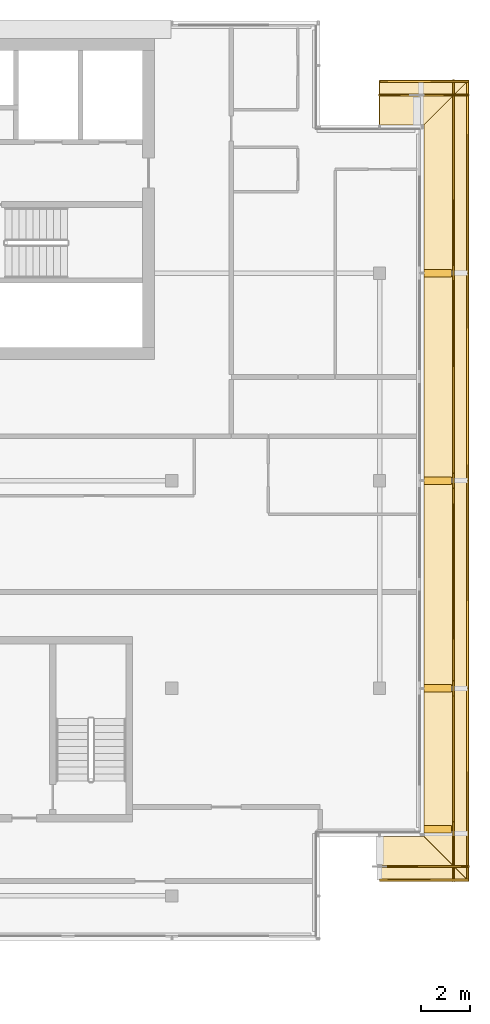
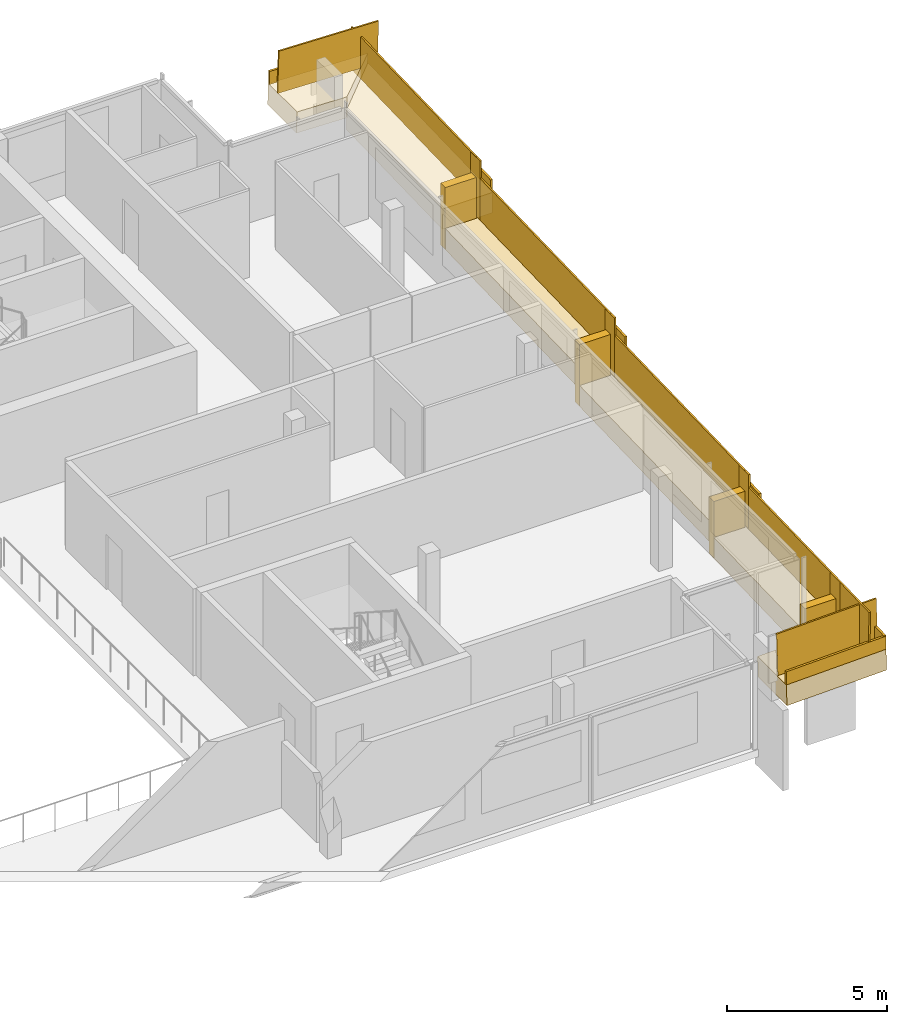
# One storey, part 19 of 19: 16 coverings, 10 railings.
"""IFC4 building model written with IfcOpenShell, lengths in metres."""

from ifc_helpers import new_model, si_unit, direction, frame, origin, origin_2d, place, context, subcontext, project, spatial, polyline, rectangle, outline, extrude, material, layer, layer_set, type_object, element, save


model = new_model("IFC4")

# Units and contexts
model_context = context("Model", 3, precision=1e-05, world=origin(), true_north=direction((0.0, 1.0)))
body_context = subcontext(model_context, "Body", "Model", "MODEL_VIEW")
ifc_project = project(units=[si_unit("LENGTHUNIT", "METRE"), si_unit("AREAUNIT", "SQUARE_METRE"), si_unit("VOLUMEUNIT", "CUBIC_METRE"), si_unit("PLANEANGLEUNIT", "RADIAN"), si_unit("MASSUNIT", "GRAM", prefix="KILO")], contexts=[model_context])

# Site, building, storey
site_placement = place(None, origin())
site = spatial("IfcSite", under=ifc_project, at=site_placement, CompositionType="ELEMENT")
building_placement = place(site_placement, origin())
building = spatial("IfcBuilding", under=site, at=building_placement, Name="Saffron Gate Tower", CompositionType="ELEMENT")
storey_placement = place(building_placement, frame((0.0, 0.0, 292.35009765625)))
storey = spatial("IfcBuildingStorey", under=building, at=storey_placement, Name="L71", CompositionType="ELEMENT", Elevation=292.35009765625)

# Coverings
ifc_material = material(Name="Timber, thermally modified ash", Category="wood")
ifc_layer_1 = layer(ifc_material, 0.800048828125)
ifc_layer_set_1 = layer_set([ifc_layer_1], Name="LD1 ledge timber")
covering_type_1 = type_object("IfcCoveringType", Name="LD1 ledge timber", PredefinedType="CLADDING", material=ifc_layer_set_1)
covering_1_placement = place(storey_placement, frame((117.0, 42.60009765625, 0.1669921875), z_axis=(-0.028786835276, 4.5191264e-05, 0.999585572161), x_axis=(0.999585573182, 2.041e-09, 0.028786835305)))
element("IfcCovering", 1, at=covering_1_placement, inside=storey, type_object=covering_type_1, Name="LEDGE", PredefinedType="CLADDING", context=body_context, shape_type="SweptSolid", body=[
    extrude(outline(polyline([(0.0, 0.0), (1.8007927832406818, 0.0), (3.601592590842695, -1.8000488373153904), (-3.674631647332522e-09, -1.800048826286925), (0.0, 0.0)])), origin(), (0.0, 0.0, -1.0), 0.800048828125),
])
covering_2_placement = place(storey_placement, frame((118.800048828125, 42.60009765625, 0.359130859375), z_axis=(3.5027307e-05, -0.028807146299, 0.99958498743), x_axis=(3.68e-10, 0.999584988043, 0.028807146316)))
element("IfcCovering", 2, at=covering_2_placement, inside=storey, type_object=covering_type_1, Name="LEDGE", PredefinedType="CLADDING", context=body_context, shape_type="SweptSolid", body=[
    extrude(outline(polyline([(0.0, 0.0), (6.0024892885105, 2.541098841762901e-21), (6.002489289172793, -1.8000488270207489), (-1.800799813548424, -1.8000488321003227), (0.0, 0.0)])), origin(), (0.0, 0.0, -1.0), 0.800048828125),
])
for number, where, z_axis, x_axis, name in (
    (3, (118.800048828125, 48.60009765625, 0.999267578125), (0.0, -0.028791175352, 0.999585448184), (0.0, 0.999585448184, 0.028791175352), "LEDGE"),
    (4, (118.800048828125, 57.0, 1.895751953125), (0.0, -0.028791175352, 0.999585448184), (0.0, 0.999585448184, 0.028791175352), "LEDGE"),
):
    element("IfcCovering", number, at=place(storey_placement, frame(where, z_axis=z_axis, x_axis=x_axis)), inside=storey, type_object=covering_type_1, Name=name, PredefinedType="CLADDING", context=body_context, shape_type="SweptSolid", body=[
        extrude(outline(polyline([(0.0, 0.0), (8.403385982666892, 0.0), (8.403385982666892, -1.800048828125), (0.0, -1.800048828125), (0.0, 0.0)])), origin(), (0.0, 0.0, -1.0), 0.800048828125),
    ])
covering_3_placement = place(storey_placement, frame((118.800048828125, 65.39990234375, 2.792236328125), z_axis=(2.391759e-05, -0.028789477025, 0.999585496814), x_axis=(-1.72e-10, 0.9995854971, 0.028789477033)))
element("IfcCovering", 5, at=covering_3_placement, inside=storey, type_object=covering_type_1, Name="LEDGE", PredefinedType="CLADDING", context=body_context, shape_type="SweptSolid", body=[
    extrude(outline(polyline([(0.0, 0.0), (6.002489288687248, 8.470329472543003e-22), (7.80328207139786, -1.8000488299785034), (-3.0879623774719253e-10, -1.8000488276101398), (0.0, 0.0)])), origin(), (0.0, 0.0, -1.0), 0.800048828125),
])
covering_4_placement = place(storey_placement, frame((118.800048828125, 71.39990234375, 3.432373046875), z_axis=(0.028831989003, -4.5191205e-05, 0.999584270769), x_axis=(-0.999584271789, 2.041e-09, 0.028831989032)))
element("IfcCovering", 6, at=covering_4_placement, inside=storey, type_object=covering_type_1, Name="LEDGE", PredefinedType="CLADDING", context=body_context, shape_type="SweptSolid", body=[
    extrude(outline(polyline([(0.0, 0.0), (1.8007998167885757, 0.0), (1.8007998204631834, -1.80004882628693), (-1.8007927740541456, -1.800048837315338), (0.0, 0.0)])), origin(), (0.0, 0.0, -1.0), 0.800048828125),
])
ifc_layer_2 = layer(ifc_material, 0.080078125)
ifc_layer_set_2 = layer_set([ifc_layer_2], Name="LD2 ledge planter trough")
covering_type_2 = type_object("IfcCoveringType", Name="LD2 ledge planter trough", PredefinedType="CLADDING", material=ifc_layer_set_2)
covering_5_placement = place(storey_placement, frame((117.0, 40.800048828125, 0.1669921875), z_axis=(0.0, -1.0, 0.0), x_axis=(0.99958492274, 0.0, 0.028809412191)))
element("IfcCovering", 7, at=covering_5_placement, inside=storey, type_object=covering_type_2, Name="LEDGE planter trough", PredefinedType="CLADDING", context=body_context, shape_type="SweptSolid", body=[
    extrude(outline(polyline([(0.0, 0.0), (3.601592595435983, 0.0), (3.6159973015313485, 0.4997924613700232), (0.014404706095365512, 0.4997924613700232), (0.0, 0.0)])), origin(), (0.0, 0.0, -1.0), 0.080078125),
])
covering_6_placement = place(storey_placement, frame((120.60009765625, 40.800048828125, 0.30712890625), z_axis=(1.0, 0.0, 0.0), x_axis=(0.0, 0.999584755248, 0.028815222999)))
element("IfcCovering", 8, at=covering_6_placement, inside=storey, type_object=covering_type_2, Name="LEDGE planter trough", PredefinedType="CLADDING", context=body_context, shape_type="SweptSolid", body=[
    extrude(outline(polyline([(0.0, 0.0), (7.803289102975944, 0.0), (7.8176967144752565, 0.4997923776238338), (0.014407611499312996, 0.4997923776238338), (0.0, 0.0)])), origin(), (0.0, 0.0, -1.0), 0.080078125),
])
for number, where, z_axis, x_axis, name in (
    (9, (120.60009765625, 48.60009765625, 0.999267578125), (1.0, 0.0, 0.0), (0.0, 0.999585448184, 0.028791175352), "LEDGE planter trough"),
    (10, (120.60009765625, 57.0, 1.895751953125), (1.0, 0.0, 0.0), (0.0, 0.999585448184, 0.028791175352), "LEDGE planter trough"),
):
    element("IfcCovering", number, at=place(storey_placement, frame(where, z_axis=z_axis, x_axis=x_axis)), inside=storey, type_object=covering_type_2, Name=name, PredefinedType="CLADDING", context=body_context, shape_type="SweptSolid", body=[
        extrude(outline(polyline([(0.0, 0.0), (8.403385982666892, 0.0), (8.417781570342743, 0.49979272409216496), (0.014395587675851172, 0.4997927240921649), (0.0, 0.0)])), origin(), (0.0, 0.0, -1.0), 0.080078125),
    ])
covering_7_placement = place(storey_placement, frame((120.60009765625, 65.39990234375, 2.792236328125), z_axis=(1.0, 0.0, 0.0), x_axis=(0.0, 0.999585655924, 0.028783962047)))
element("IfcCovering", 11, at=covering_7_placement, inside=storey, type_object=covering_type_2, Name="LEDGE planter trough", PredefinedType="CLADDING", context=body_context, shape_type="SweptSolid", body=[
    extrude(outline(polyline([(0.0, 0.0), (7.803282071825423, 2.7755575615628914e-17), (7.817674052849086, 0.4997928279619612), (0.014391981023662846, 0.4997928279619612), (0.0, 0.0)])), origin(), (0.0, 0.0, -1.0), 0.080078125),
])
covering_8_placement = place(storey_placement, frame((120.60009765625, 73.199951171875, 3.380615234375), z_axis=(0.0, 1.0, 0.0), x_axis=(-0.99958492274, 0.0, 0.028809412191)))
element("IfcCovering", 12, at=covering_8_placement, inside=storey, type_object=covering_type_2, Name="LEDGE planter trough", PredefinedType="CLADDING", context=body_context, shape_type="SweptSolid", body=[
    extrude(outline(polyline([(0.0, 0.0), (3.601592595435983, 0.0), (3.6159973015313485, 0.4997924613700232), (0.014404706095365512, 0.4997924613700232), (0.0, 0.0)])), origin(), (0.0, 0.0, -1.0), 0.080078125),
])
ifc_layer_3 = layer(ifc_material, 0.300048828125)
ifc_layer_set_3 = layer_set([ifc_layer_3], Name="LD3 ledge riser fin")
covering_type_3 = type_object("IfcCoveringType", Name="LD3 ledge riser fin", PredefinedType="CLADDING", material=ifc_layer_set_3)
covering_9_placement = place(storey_placement, frame((119.360107421875, 42.89990234375, -0.581298828125), z_axis=(0.0, 0.0, 1.0), x_axis=(0.0, 1.0, 0.0)))
element("IfcCovering", 13, at=covering_9_placement, inside=storey, type_object=covering_type_3, Name="LEDGE riser fin", PredefinedType="CLADDING", context=body_context, shape_type="SweptSolid", body=[
    extrude(rectangle(XDim=0.300048828125, YDim=1.1201171875, at=origin_2d()), origin(), (0.0, 0.0, 1.0), 1.84033203125),
])
covering_10_placement = place(storey_placement, frame((119.360107421875, 48.60009765625, -0.26806640625), z_axis=(0.0, 0.0, 1.0), x_axis=(0.0, 1.0, 0.0)))
element("IfcCovering", 14, at=covering_10_placement, inside=storey, type_object=covering_type_3, Name="LEDGE riser fin", PredefinedType="CLADDING", context=body_context, shape_type="SweptSolid", body=[
    extrude(rectangle(XDim=0.300048828125, YDim=1.1201171875, at=origin_2d()), origin(), (0.0, 0.0, 1.0), 2.16748046875),
])
for number, where, z_axis, x_axis, name in (
    (15, (119.360107421875, 57.0, 0.44140625), (0.0, 0.0, 1.0), (0.0, 1.0, 0.0), "LEDGE riser fin"),
    (16, (119.360107421875, 65.39990234375, 1.337646484375), (0.0, 0.0, 1.0), (0.0, 1.0, 0.0), "LEDGE riser fin"),
):
    element("IfcCovering", number, at=place(storey_placement, frame(where, z_axis=z_axis, x_axis=x_axis)), inside=storey, type_object=covering_type_3, Name=name, PredefinedType="CLADDING", context=body_context, shape_type="SweptSolid", body=[
        extrude(rectangle(XDim=0.300048828125, YDim=1.1201171875, at=origin_2d()), origin(), (0.0, 0.0, 1.0), 2.3544921875),
    ])

# Railings
railing_type = type_object("IfcRailingType", Name="LG1 ledge balustrade", PredefinedType="BALUSTRADE", material=ifc_material)
railing_1_placement = place(storey_placement, frame((117.0, 41.39990234375, 0.1669921875)))
element("IfcRailing", 17, at=railing_1_placement, inside=storey, type_object=railing_type, Name="LEDGE BALUSTRADE", PredefinedType="BALUSTRADE", context=body_context, shape_type="SweptSolid", body=[
    extrude(rectangle(XDim=0.06005859375, YDim=1.60009765625, at=origin_2d()), frame((0.0, 0.0, 0.800048828125), z_axis=(0.99958492274, 0.0, 0.028809412191), x_axis=(0.0, 1.0, 0.0)), (0.0, 0.0, 1.0), 3.6015625),
])
railing_2_placement = place(storey_placement, frame((120.0, 40.800048828125, 0.30712890625)))
element("IfcRailing", 18, at=railing_2_placement, inside=storey, type_object=railing_type, Name="LEDGE BALUSTRADE", PredefinedType="BALUSTRADE", context=body_context, shape_type="SweptSolid", body=[
    extrude(rectangle(XDim=0.06005859375, YDim=1.60009765625, at=origin_2d()), frame((0.0, 0.0, 0.800048828125), z_axis=(0.0, 0.999584755248, 0.028815222999), x_axis=(-1.0, 0.0, 0.0)), (0.0, 0.0, 1.0), 7.80322265625),
])
railing_3_placement = place(storey_placement, frame((120.0, 42.60009765625, 0.21875)))
element("IfcRailing", 19, at=railing_3_placement, inside=storey, type_object=railing_type, Name="LEDGE BALUSTRADE", PredefinedType="BALUSTRADE", context=body_context, shape_type="SweptSolid", body=[
    extrude(rectangle(XDim=0.06005859375, YDim=1.740234375, at=origin_2d()), frame((0.0, 0.0, 0.8701171875), z_axis=(0.0, 1.0, 0.0), x_axis=(-1.0, 0.0, 0.0)), (0.0, 0.0, 1.0), 0.599853515625),
])
railing_4_placement = place(storey_placement, frame((120.0, 48.60009765625, 0.999267578125)))
element("IfcRailing", 20, at=railing_4_placement, inside=storey, type_object=railing_type, Name="LEDGE BALUSTRADE", PredefinedType="BALUSTRADE", context=body_context, shape_type="SweptSolid", body=[
    extrude(rectangle(XDim=0.06005859375, YDim=1.60009765625, at=origin_2d()), frame((0.0, 0.0, 0.800048828125), z_axis=(0.0, 0.999585448184, 0.028791175352), x_axis=(-1.0, 0.0, 0.0)), (0.0, 0.0, 1.0), 8.4033203125),
])
railing_5_placement = place(storey_placement, frame((120.0, 48.300048828125, 0.531982421875)))
element("IfcRailing", 21, at=railing_5_placement, inside=storey, type_object=railing_type, Name="LEDGE BALUSTRADE", PredefinedType="BALUSTRADE", context=body_context, shape_type="SweptSolid", body=[
    extrude(rectangle(XDim=0.06005859375, YDim=2.0673828125, at=origin_2d()), frame((0.0, 0.0, 1.03369140625), z_axis=(0.0, 1.0, 0.0), x_axis=(-1.0, 0.0, 0.0)), (0.0, 0.0, 1.0), 0.599853515625),
])
railing_6_placement = place(storey_placement, frame((120.0, 57.0, 1.895751953125)))
element("IfcRailing", 22, at=railing_6_placement, inside=storey, type_object=railing_type, Name="LEDGE BALUSTRADE", PredefinedType="BALUSTRADE", context=body_context, shape_type="SweptSolid", body=[
    extrude(rectangle(XDim=0.06005859375, YDim=1.60009765625, at=origin_2d()), frame((0.0, 0.0, 0.800048828125), z_axis=(0.0, 0.999585448184, 0.028791175352), x_axis=(-1.0, 0.0, 0.0)), (0.0, 0.0, 1.0), 8.4033203125),
])
railing_7_placement = place(storey_placement, frame((120.0, 56.699951171875, 1.2412109375)))
element("IfcRailing", 23, at=railing_7_placement, inside=storey, type_object=railing_type, Name="LEDGE BALUSTRADE", PredefinedType="BALUSTRADE", context=body_context, shape_type="SweptSolid", body=[
    extrude(rectangle(XDim=0.06005859375, YDim=2.25439453125, at=origin_2d()), frame((0.0, 0.0, 1.127197265625), z_axis=(0.0, 1.0, 0.0), x_axis=(-1.0, 0.0, 0.0)), (0.0, 0.0, 1.0), 0.60009765625),
])
railing_8_placement = place(storey_placement, frame((120.0, 65.39990234375, 2.792236328125)))
element("IfcRailing", 24, at=railing_8_placement, inside=storey, type_object=railing_type, Name="LEDGE BALUSTRADE", PredefinedType="BALUSTRADE", context=body_context, shape_type="SweptSolid", body=[
    extrude(rectangle(XDim=0.06005859375, YDim=1.60009765625, at=origin_2d()), frame((0.0, 0.0, 0.800048828125), z_axis=(0.0, 0.999585655924, 0.028783962047), x_axis=(-1.0, 0.0, 0.0)), (0.0, 0.0, 1.0), 7.80322265625),
])
railing_9_placement = place(storey_placement, frame((120.0, 65.10009765625, 2.1376953125)))
element("IfcRailing", 25, at=railing_9_placement, inside=storey, type_object=railing_type, Name="LEDGE BALUSTRADE", PredefinedType="BALUSTRADE", context=body_context, shape_type="SweptSolid", body=[
    extrude(rectangle(XDim=0.06005859375, YDim=2.25439453125, at=origin_2d()), frame((0.0, 0.0, 1.127197265625), z_axis=(0.0, 1.0, 0.0), x_axis=(-1.0, 0.0, 0.0)), (0.0, 0.0, 1.0), 0.599853515625),
])
railing_10_placement = place(storey_placement, frame((120.60009765625, 72.60009765625, 3.380615234375)))
element("IfcRailing", 26, at=railing_10_placement, inside=storey, type_object=railing_type, Name="LEDGE BALUSTRADE", PredefinedType="BALUSTRADE", context=body_context, shape_type="SweptSolid", body=[
    extrude(rectangle(XDim=0.06005859375, YDim=1.60009765625, at=origin_2d()), frame((0.0, 0.0, 0.800048828125), z_axis=(-0.99958492274, 0.0, 0.028809412191), x_axis=(0.0, -1.0, 0.0)), (0.0, 0.0, 1.0), 3.6015625),
])

save(model, "model.ifc")
